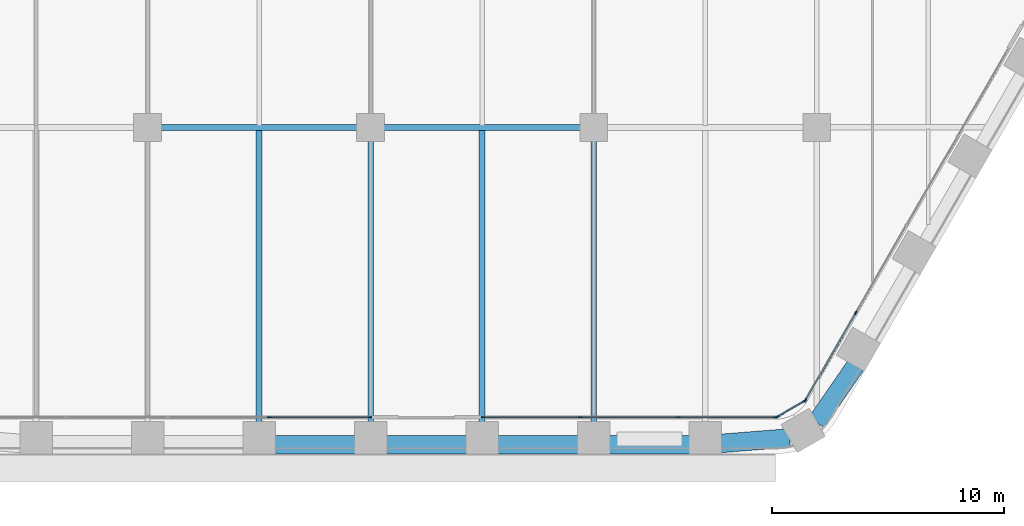
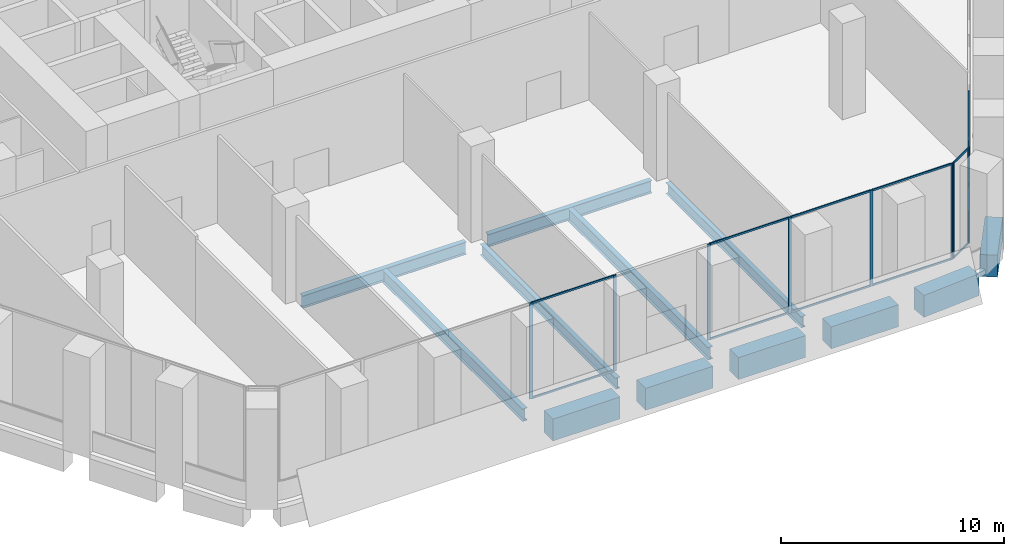
# One storey, part 4 of 27: 22 members, 12 beams, 4 elements without a shape of their own.
"""IFC4 building model written with IfcOpenShell, lengths in metres."""

from ifc_helpers import new_model, si_unit, direction, frame, origin, origin_2d, place, context, subcontext, project, spatial, rectangle, i_section, extrude, material, material_profile, profile_set, type_object, element, aggregate, save


model = new_model("IFC4")

# Units and contexts
model_context = context("Model", 3, precision=1e-05, world=origin(), true_north=direction((0.0, 1.0)))
body_context = subcontext(model_context, "Body", "Model", "MODEL_VIEW")
ifc_project = project(units=[si_unit("LENGTHUNIT", "METRE"), si_unit("AREAUNIT", "SQUARE_METRE"), si_unit("VOLUMEUNIT", "CUBIC_METRE"), si_unit("PLANEANGLEUNIT", "RADIAN"), si_unit("MASSUNIT", "GRAM", prefix="KILO")], contexts=[model_context])

# Site, building, storey
site_placement = place(None, origin())
site = spatial("IfcSite", under=ifc_project, at=site_placement, CompositionType="ELEMENT")
building_placement = place(site_placement, origin())
building = spatial("IfcBuilding", under=site, at=building_placement, Name="Kolab Exchange Tower", CompositionType="ELEMENT")
storey_placement = place(building_placement, frame((0.0, 0.0, 22.39990234375)))
storey = spatial("IfcBuildingStorey", under=building, at=storey_placement, Name="L04", CompositionType="ELEMENT", Elevation=22.39990234375)

# Beams
ifc_material_1 = material(Name="Steel S355", Category="steel")
ifc_material_profile_1 = material_profile(ifc_material_1, i_section(OverallWidth=0.22802734375, OverallDepth=0.60791015625, WebThickness=0.01123046875, FlangeThickness=0.017333984375, at=origin_2d()), Name="W610X113")
ifc_profile_set_1 = profile_set([ifc_material_profile_1], Name="Steel S355")
beam_type_1 = type_object("IfcBeamType", Name="FLOOR BEAM W610X113", PredefinedType="BEAM", material=ifc_profile_set_1)
for number, where, z_axis, x_axis, name in (
    (1, (0.0, -31.8955078125, -0.553955078125), (0.0, 1.0, 0.0), (-1.0, 0.0, 0.0), "beam/L04/fr/030"),
    (2, (9.60009765625, -31.8955078125, -0.553955078125), (0.0, 1.0, 0.0), (-1.0, 0.0, 0.0), "beam/L04/fr/038"),
):
    element("IfcBeam", number, at=place(storey_placement, frame(where, z_axis=z_axis, x_axis=x_axis)), inside=storey, type_object=beam_type_1, Name=name, PredefinedType="BEAM", context=body_context, shape_type="SweptSolid", body=[
        extrude(i_section(OverallWidth=0.22802734375, OverallDepth=0.60791015625, WebThickness=0.01123046875, FlangeThickness=0.017333984375, at=origin_2d()), origin(), (0.0, 0.0, 1.0), 12.135498046875),
    ])
ifc_material_profile_2 = material_profile(ifc_material_1, i_section(OverallWidth=0.25390625, OverallDepth=0.68408203125, WebThickness=0.012451171875, FlangeThickness=0.018798828125, at=origin_2d()), Name="W690X140")
ifc_profile_set_2 = profile_set([ifc_material_profile_2], Name="Steel S355")
beam_type_2 = type_object("IfcBeamType", Name="FLOOR BEAM W690X140", PredefinedType="BEAM", material=ifc_profile_set_2)
for number, where, z_axis, x_axis, name in (
    (3, (-4.800048828125, -31.8955078125, -0.591796875), (0.0, 1.0, 0.0), (-1.0, 0.0, 0.0), "beam/L04/fr/026"),
    (4, (4.800048828125, -31.8955078125, -0.591796875), (0.0, 1.0, 0.0), (-1.0, 0.0, 0.0), "beam/L04/fr/034"),
):
    element("IfcBeam", number, at=place(storey_placement, frame(where, z_axis=z_axis, x_axis=x_axis)), inside=storey, type_object=beam_type_2, Name=name, PredefinedType="BEAM", context=body_context, shape_type="SweptSolid", body=[
        extrude(i_section(OverallWidth=0.25390625, OverallDepth=0.68408203125, WebThickness=0.012451171875, FlangeThickness=0.018798828125, at=origin_2d()), origin(), (0.0, 0.0, 1.0), 12.6083984375),
    ])
ifc_material_profile_3 = material_profile(ifc_material_1, i_section(OverallWidth=0.25390625, OverallDepth=0.68408203125, WebThickness=0.012451171875, FlangeThickness=0.018798828125, at=origin_2d()), Name="W690X140")
ifc_profile_set_3 = profile_set([ifc_material_profile_3], Name="Steel S355")
beam_type_3 = type_object("IfcBeamType", Name="FLOOR GIRDER W690X140", PredefinedType="BEAM", material=ifc_profile_set_3)
for number, where, z_axis, x_axis, name in (
    (5, (-9.0400390625, -19.199951171875, -0.591796875), (1.0, 0.0, 0.0), (0.0, 1.0, 0.0), "beam/L04/gd/011"),
    (6, (0.56005859375, -19.199951171875, -0.591796875), (1.0, 0.0, 0.0), (0.0, 1.0, 0.0), "beam/L04/gd/013"),
):
    element("IfcBeam", number, at=place(storey_placement, frame(where, z_axis=z_axis, x_axis=x_axis)), inside=storey, type_object=beam_type_3, Name=name, PredefinedType="BEAM", context=body_context, shape_type="SweptSolid", body=[
        extrude(i_section(OverallWidth=0.25390625, OverallDepth=0.68408203125, WebThickness=0.012451171875, FlangeThickness=0.018798828125, at=origin_2d()), origin(), (0.0, 0.0, 1.0), 8.47998046875),
    ])
ifc_material_2 = material(Name="Concrete C80/95", Category="concrete")
ifc_material_profile_4 = material_profile(ifc_material_2, rectangle(XDim=0.800048828125, YDim=1.199951171875, at=origin_2d()), Name="RC800X1200")
ifc_profile_set_4 = profile_set([ifc_material_profile_4], Name="Concrete C80/95")
beam_type_4 = type_object("IfcBeamType", Name="SPANDREL BEAM 800X1200 C80/95", PredefinedType="BEAM", material=ifc_profile_set_4)
beam_1_placement = place(storey_placement, frame((20.8779296875, -29.44384765625, -0.849853515625), z_axis=(-0.567247290755, -0.823547516013, 0.0), x_axis=(0.823547516013, -0.567247290755, 0.0)))
element("IfcBeam", 7, at=beam_1_placement, inside=storey, type_object=beam_type_4, Name="beam/L04/sp/F3-08", PredefinedType="BEAM", context=body_context, shape_type="SweptSolid", body=[
    extrude(rectangle(XDim=0.800048828125, YDim=1.199951171875, at=origin_2d()), origin(), (0.0, 0.0, 1.0), 2.984375),
])
beam_2_placement = place(storey_placement, frame((18.03515625, -32.5654296875, -0.849853515625), z_axis=(-0.996833978278, -0.07951112973, 0.0), x_axis=(0.07951112973, -0.996833978278, 0.0)))
element("IfcBeam", 8, at=beam_2_placement, inside=storey, type_object=beam_type_4, Name="beam/L04/sp/F4-01", PredefinedType="BEAM", context=body_context, shape_type="SweptSolid", body=[
    extrude(rectangle(XDim=0.800048828125, YDim=1.199951171875, at=origin_2d()), origin(), (0.0, 0.0, 1.0), 2.984619140625),
])
for number, where, z_axis, x_axis, name in (
    (9, (13.739990234375, -32.85546875, -0.849853515625), (-1.0, 0.0, 0.0), (0.0, -1.0, 0.0), "beam/L04/sp/F4-02"),
    (10, (8.93994140625, -32.85546875, -0.849853515625), (-1.0, 0.0, 0.0), (0.0, -1.0, 0.0), "beam/L04/sp/F4-03"),
    (11, (4.139892578125, -32.85546875, -0.849853515625), (-1.0, 0.0, 0.0), (0.0, -1.0, 0.0), "beam/L04/sp/F4-04"),
    (12, (-0.659912109375, -32.85546875, -0.849853515625), (-1.0, 0.0, 0.0), (0.0, -1.0, 0.0), "beam/L04/sp/F4-05"),
):
    element("IfcBeam", number, at=place(storey_placement, frame(where, z_axis=z_axis, x_axis=x_axis)), inside=storey, type_object=beam_type_4, Name=name, PredefinedType="BEAM", context=body_context, shape_type="SweptSolid", body=[
        extrude(rectangle(XDim=0.800048828125, YDim=1.199951171875, at=origin_2d()), origin(), (0.0, 0.0, 1.0), 3.47998046875),
    ])

# Curtain wall, members
ifc_material_3 = material(Name="Aluminium EN AW-6063 T6", Category="aluminium")
curtain_wall_type = type_object("IfcCurtainWallType", Name="UNITISED LOW ZONE CURTAIN WALL", PredefinedType="NOTDEFINED", material=ifc_material_3)
curtain_wall_1_placement = place(storey_placement, origin())
curtain_wall_1 = element("IfcCurtainWall", 13, at=curtain_wall_1_placement, inside=storey, type_object=curtain_wall_type, Name="cw/L04/F3-2", PredefinedType="NOTDEFINED")
ifc_material_profile_5 = material_profile(ifc_material_3, rectangle(XDim=0.06005859375, YDim=0.159912109375, at=origin_2d()), Name="RECT 60X160")
ifc_profile_set_5 = profile_set([ifc_material_profile_5], Name="Aluminium EN AW-6063 T6")
member_type_1 = type_object("IfcMemberType", Name="UNITISED LOW ZONE MULLION 60 X 160", PredefinedType="MULLION", material=ifc_profile_set_5)
member_1_placement = place(storey_placement, frame((20.881103515625, -27.183349609375, 0.0), z_axis=(0.0, 0.0, 1.0), x_axis=(0.866025397318, -0.5000000112, 0.0)))
member_1 = element("IfcMember", 14, at=member_1_placement, type_object=member_type_1, Name="CW1 mullion 4", PredefinedType="MULLION", context=body_context, shape_type="SweptSolid", body=[
    extrude(rectangle(XDim=0.06005859375, YDim=0.159912109375, at=origin_2d()), origin(), (0.0, 0.0, 1.0), 5.25),
])
member_2_placement = place(storey_placement, frame((18.712646484375, -30.939453125, 0.0), z_axis=(0.0, 0.0, 1.0), x_axis=(0.866025397318, -0.5000000112, 0.0)))
member_2 = element("IfcMember", 15, at=member_2_placement, type_object=member_type_1, Name="CW1 mullion 5", PredefinedType="MULLION", context=body_context, shape_type="SweptSolid", body=[
    extrude(rectangle(XDim=0.06005859375, YDim=0.159912109375, at=origin_2d()), origin(), (0.0, 0.0, 1.0), 5.25),
])

curtain_wall_2_placement = place(storey_placement, origin())
curtain_wall_2 = element("IfcCurtainWall", 16, at=curtain_wall_2_placement, inside=storey, type_object=curtain_wall_type, Name="cw/L04/F4-1", PredefinedType="NOTDEFINED")
member_3_placement = place(storey_placement, frame((17.43798828125, -31.67529296875, 0.0), z_axis=(0.0, 0.0, 1.0), x_axis=(0.0, -1.0, 0.0)))
member_3 = element("IfcMember", 17, at=member_3_placement, type_object=member_type_1, Name="CW1 mullion 1", PredefinedType="MULLION", context=body_context, shape_type="SweptSolid", body=[
    extrude(rectangle(XDim=0.06005859375, YDim=0.159912109375, at=origin_2d()), origin(), (0.0, 0.0, 1.0), 5.25),
])
member_4_placement = place(storey_placement, frame((13.245361328125, -31.67529296875, 0.0), z_axis=(0.0, 0.0, 1.0), x_axis=(0.0, -1.0, 0.0)))
member_4 = element("IfcMember", 18, at=member_4_placement, type_object=member_type_1, Name="CW1 mullion 2", PredefinedType="MULLION", context=body_context, shape_type="SweptSolid", body=[
    extrude(rectangle(XDim=0.06005859375, YDim=0.159912109375, at=origin_2d()), origin(), (0.0, 0.0, 1.0), 5.25),
])
member_5_placement = place(storey_placement, frame((9.022705078125, -31.67529296875, 0.0), z_axis=(0.0, 0.0, 1.0), x_axis=(0.0, -1.0, 0.0)))
member_5 = element("IfcMember", 19, at=member_5_placement, type_object=member_type_1, Name="CW1 mullion 3", PredefinedType="MULLION", context=body_context, shape_type="SweptSolid", body=[
    extrude(rectangle(XDim=0.06005859375, YDim=0.159912109375, at=origin_2d()), origin(), (0.0, 0.0, 1.0), 5.25),
])
member_6_placement = place(storey_placement, frame((4.830078125, -31.67529296875, 0.0), z_axis=(0.0, 0.0, 1.0), x_axis=(0.0, -1.0, 0.0)))
member_6 = element("IfcMember", 20, at=member_6_placement, type_object=member_type_1, Name="CW1 mullion 4", PredefinedType="MULLION", context=body_context, shape_type="SweptSolid", body=[
    extrude(rectangle(XDim=0.06005859375, YDim=0.159912109375, at=origin_2d()), origin(), (0.0, 0.0, 1.0), 5.25),
])

curtain_wall_3_placement = place(storey_placement, origin())
curtain_wall_3 = element("IfcCurtainWall", 21, at=curtain_wall_3_placement, inside=storey, type_object=curtain_wall_type, Name="cw/L04/F4-2", PredefinedType="NOTDEFINED")
member_7_placement = place(storey_placement, frame((-0.030029296875, -31.67529296875, 0.0), z_axis=(0.0, 0.0, 1.0), x_axis=(0.0, -1.0, 0.0)))
member_7 = element("IfcMember", 22, at=member_7_placement, type_object=member_type_1, Name="CW1 mullion 1", PredefinedType="MULLION", context=body_context, shape_type="SweptSolid", body=[
    extrude(rectangle(XDim=0.06005859375, YDim=0.159912109375, at=origin_2d()), origin(), (0.0, 0.0, 1.0), 5.25),
])
member_8_placement = place(storey_placement, frame((-4.366943359375, -31.67529296875, 0.0), z_axis=(0.0, 0.0, 1.0), x_axis=(0.0, -1.0, 0.0)))
member_8 = element("IfcMember", 23, at=member_8_placement, type_object=member_type_1, Name="CW1 mullion 2", PredefinedType="MULLION", context=body_context, shape_type="SweptSolid", body=[
    extrude(rectangle(XDim=0.06005859375, YDim=0.159912109375, at=origin_2d()), origin(), (0.0, 0.0, 1.0), 5.25),
])

curtain_wall_4_placement = place(storey_placement, origin())
curtain_wall_4 = element("IfcCurtainWall", 24, at=curtain_wall_4_placement, inside=storey, type_object=curtain_wall_type, Name="cw/L04/F3F4-corner", PredefinedType="NOTDEFINED")
member_9_placement = place(storey_placement, frame((18.671630859375, -30.98046875, 0.0), z_axis=(0.0, 0.0, 1.0), x_axis=(0.50000002237, -0.866025390869, 0.0)))
member_9 = element("IfcMember", 25, at=member_9_placement, type_object=member_type_1, Name="CW1 mullion 1", PredefinedType="MULLION", context=body_context, shape_type="SweptSolid", body=[
    extrude(rectangle(XDim=0.06005859375, YDim=0.159912109375, at=origin_2d()), origin(), (0.0, 0.0, 1.0), 5.25),
])
member_10_placement = place(storey_placement, frame((17.493896484375, -31.660400390625, 0.0), z_axis=(0.0, 0.0, 1.0), x_axis=(0.50000002237, -0.866025390869, 0.0)))
member_10 = element("IfcMember", 26, at=member_10_placement, type_object=member_type_1, Name="CW1 mullion 2", PredefinedType="MULLION", context=body_context, shape_type="SweptSolid", body=[
    extrude(rectangle(XDim=0.06005859375, YDim=0.159912109375, at=origin_2d()), origin(), (0.0, 0.0, 1.0), 5.25),
])

# Member
ifc_material_profile_6 = material_profile(ifc_material_3, rectangle(XDim=0.06005859375, YDim=0.10009765625, at=origin_2d()), Name="RECT 60X100")
ifc_profile_set_6 = profile_set([ifc_material_profile_6], Name="Aluminium EN AW-6063 T6")
member_type_2 = type_object("IfcMemberType", Name="UNITISED LOW ZONE TRANSOM 60 X 100", PredefinedType="USERDEFINED", material=ifc_profile_set_6)
member_11_placement = place(storey_placement, frame((20.8662109375, -27.20947265625, 0.030029296875), z_axis=(-0.500000816281, -0.866024932504, 0.0), x_axis=(0.866024932504, -0.500000816281, 0.0)))
member_11 = element("IfcMember", 27, at=member_11_placement, type_object=member_type_2, Name="CW1 transom 4.1", ObjectType="TRANSOM", PredefinedType="USERDEFINED", context=body_context, shape_type="SweptSolid", body=[
    extrude(rectangle(XDim=0.06005859375, YDim=0.10009765625, at=origin_2d()), origin(), (0.0, 0.0, 1.0), 4.27685546875),
])

member_12_placement = place(storey_placement, frame((20.8662109375, -27.20947265625, 5.22021484375), z_axis=(-0.500000816281, -0.866024932504, 0.0), x_axis=(0.866024932504, -0.500000816281, 0.0)))
member_12 = element("IfcMember", 28, at=member_12_placement, type_object=member_type_2, Name="CW1 transom 4.2", ObjectType="TRANSOM", PredefinedType="USERDEFINED", context=body_context, shape_type="SweptSolid", body=[
    extrude(rectangle(XDim=0.06005859375, YDim=0.10009765625, at=origin_2d()), origin(), (0.0, 0.0, 1.0), 4.27685546875),
])

aggregate(curtain_wall_1, [member_1, member_2, member_11, member_12])

member_13_placement = place(storey_placement, frame((17.407958984375, -31.67529296875, 0.030029296875), z_axis=(-1.0, 0.0, 0.0), x_axis=(0.0, -1.0, 0.0)))
member_13 = element("IfcMember", 29, at=member_13_placement, type_object=member_type_2, Name="CW1 transom 1.1", ObjectType="TRANSOM", PredefinedType="USERDEFINED", context=body_context, shape_type="SweptSolid", body=[
    extrude(rectangle(XDim=0.06005859375, YDim=0.10009765625, at=origin_2d()), origin(), (0.0, 0.0, 1.0), 4.132568359375),
])

member_14_placement = place(storey_placement, frame((17.407958984375, -31.67529296875, 5.22021484375), z_axis=(-1.0, 0.0, 0.0), x_axis=(0.0, -1.0, 0.0)))
member_14 = element("IfcMember", 30, at=member_14_placement, type_object=member_type_2, Name="CW1 transom 1.2", ObjectType="TRANSOM", PredefinedType="USERDEFINED", context=body_context, shape_type="SweptSolid", body=[
    extrude(rectangle(XDim=0.06005859375, YDim=0.10009765625, at=origin_2d()), origin(), (0.0, 0.0, 1.0), 4.132568359375),
])

member_15_placement = place(storey_placement, frame((13.21533203125, -31.67529296875, 0.030029296875), z_axis=(-1.0, 0.0, 0.0), x_axis=(0.0, -1.0, 0.0)))
member_15 = element("IfcMember", 31, at=member_15_placement, type_object=member_type_2, Name="CW1 transom 2.1", ObjectType="TRANSOM", PredefinedType="USERDEFINED", context=body_context, shape_type="SweptSolid", body=[
    extrude(rectangle(XDim=0.06005859375, YDim=0.10009765625, at=origin_2d()), origin(), (0.0, 0.0, 1.0), 4.16259765625),
])

member_16_placement = place(storey_placement, frame((13.21533203125, -31.67529296875, 5.22021484375), z_axis=(-1.0, 0.0, 0.0), x_axis=(0.0, -1.0, 0.0)))
member_16 = element("IfcMember", 32, at=member_16_placement, type_object=member_type_2, Name="CW1 transom 2.2", ObjectType="TRANSOM", PredefinedType="USERDEFINED", context=body_context, shape_type="SweptSolid", body=[
    extrude(rectangle(XDim=0.06005859375, YDim=0.10009765625, at=origin_2d()), origin(), (0.0, 0.0, 1.0), 4.16259765625),
])

member_17_placement = place(storey_placement, frame((8.99267578125, -31.67529296875, 0.030029296875), z_axis=(-1.0, 0.0, 0.0), x_axis=(0.0, -1.0, 0.0)))
member_17 = element("IfcMember", 33, at=member_17_placement, type_object=member_type_2, Name="CW1 transom 3.1", ObjectType="TRANSOM", PredefinedType="USERDEFINED", context=body_context, shape_type="SweptSolid", body=[
    extrude(rectangle(XDim=0.06005859375, YDim=0.10009765625, at=origin_2d()), origin(), (0.0, 0.0, 1.0), 4.132568359375),
])

member_18_placement = place(storey_placement, frame((8.99267578125, -31.67529296875, 5.22021484375), z_axis=(-1.0, 0.0, 0.0), x_axis=(0.0, -1.0, 0.0)))
member_18 = element("IfcMember", 34, at=member_18_placement, type_object=member_type_2, Name="CW1 transom 3.2", ObjectType="TRANSOM", PredefinedType="USERDEFINED", context=body_context, shape_type="SweptSolid", body=[
    extrude(rectangle(XDim=0.06005859375, YDim=0.10009765625, at=origin_2d()), origin(), (0.0, 0.0, 1.0), 4.132568359375),
])

aggregate(curtain_wall_2, [member_3, member_4, member_5, member_6, member_13, member_14, member_15, member_16, member_17, member_18])

member_19_placement = place(storey_placement, frame((-0.06005859375, -31.67529296875, 0.030029296875), z_axis=(-1.0, 0.0, 0.0), x_axis=(0.0, -1.0, 0.0)))
member_19 = element("IfcMember", 35, at=member_19_placement, type_object=member_type_2, Name="CW1 transom 1.1", ObjectType="TRANSOM", PredefinedType="USERDEFINED", context=body_context, shape_type="SweptSolid", body=[
    extrude(rectangle(XDim=0.06005859375, YDim=0.10009765625, at=origin_2d()), origin(), (0.0, 0.0, 1.0), 4.27685546875),
])

member_20_placement = place(storey_placement, frame((-0.06005859375, -31.67529296875, 5.22021484375), z_axis=(-1.0, 0.0, 0.0), x_axis=(0.0, -1.0, 0.0)))
member_20 = element("IfcMember", 36, at=member_20_placement, type_object=member_type_2, Name="CW1 transom 1.2", ObjectType="TRANSOM", PredefinedType="USERDEFINED", context=body_context, shape_type="SweptSolid", body=[
    extrude(rectangle(XDim=0.06005859375, YDim=0.10009765625, at=origin_2d()), origin(), (0.0, 0.0, 1.0), 4.27685546875),
])

aggregate(curtain_wall_3, [member_7, member_8, member_19, member_20])

member_21_placement = place(storey_placement, frame((18.645751953125, -30.995361328125, 0.030029296875), z_axis=(-0.86603858612, -0.49997716683, 0.0), x_axis=(0.49997716683, -0.86603858612, 0.0)))
member_21 = element("IfcMember", 37, at=member_21_placement, type_object=member_type_2, Name="CW1 transom 1.1", ObjectType="TRANSOM", PredefinedType="USERDEFINED", context=body_context, shape_type="SweptSolid", body=[
    extrude(rectangle(XDim=0.06005859375, YDim=0.10009765625, at=origin_2d()), origin(), (0.0, 0.0, 1.0), 1.2998046875),
])

member_22_placement = place(storey_placement, frame((18.645751953125, -30.995361328125, 5.22021484375), z_axis=(-0.86603858612, -0.49997716683, 0.0), x_axis=(0.49997716683, -0.86603858612, 0.0)))
member_22 = element("IfcMember", 38, at=member_22_placement, type_object=member_type_2, Name="CW1 transom 1.2", ObjectType="TRANSOM", PredefinedType="USERDEFINED", context=body_context, shape_type="SweptSolid", body=[
    extrude(rectangle(XDim=0.06005859375, YDim=0.10009765625, at=origin_2d()), origin(), (0.0, 0.0, 1.0), 1.2998046875),
])

aggregate(curtain_wall_4, [member_9, member_10, member_21, member_22])

save(model, "model.ifc")
